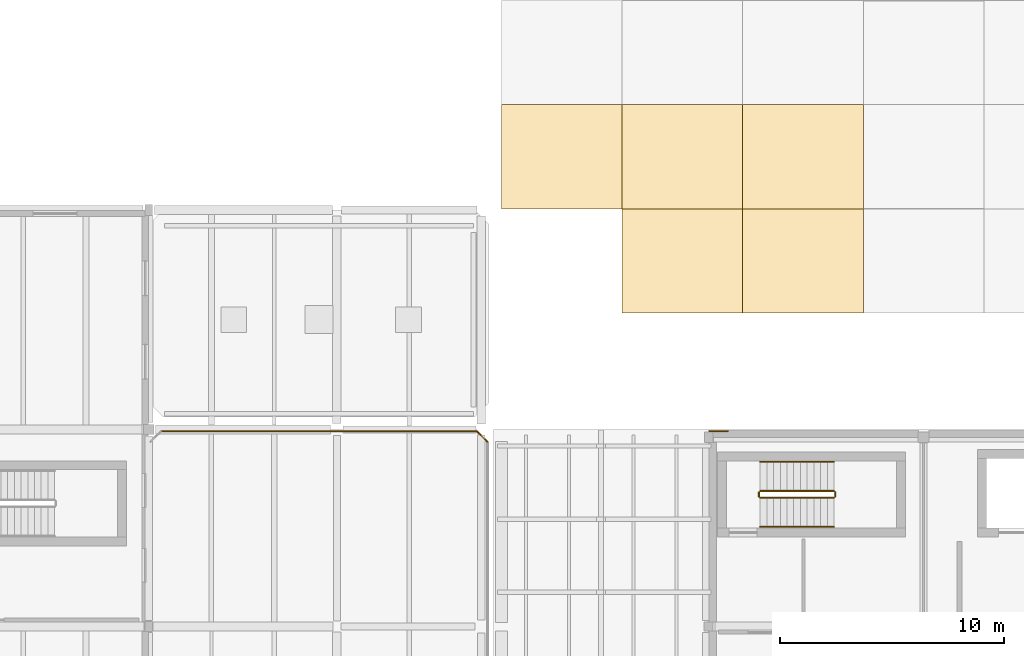
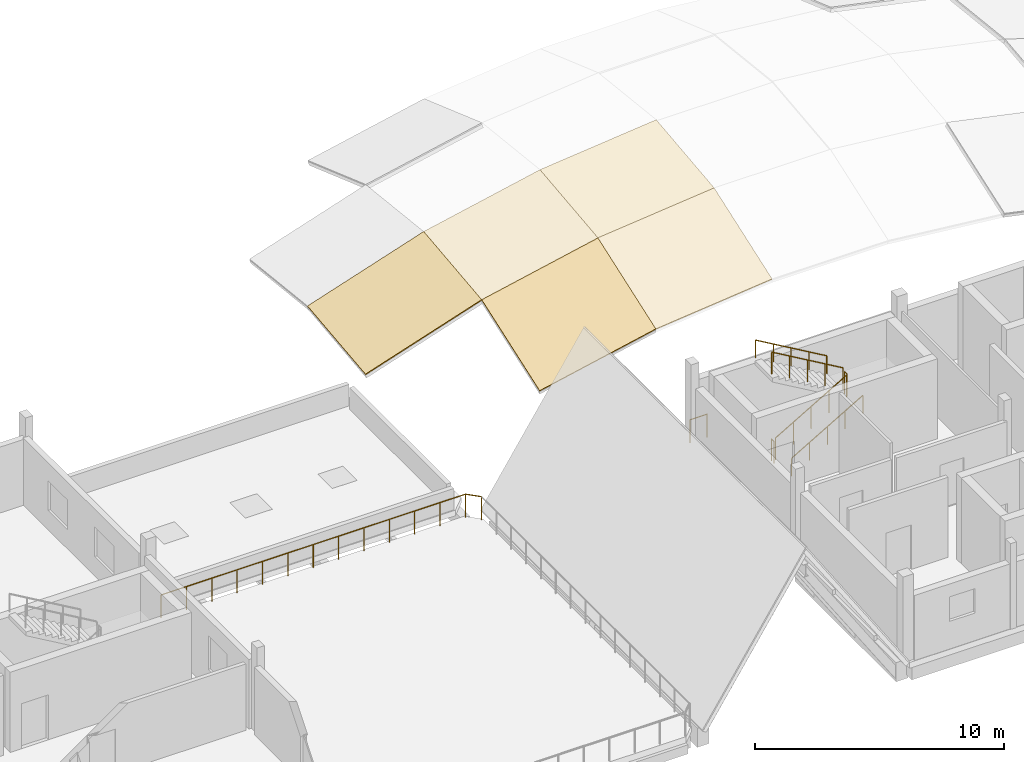
# One storey, part 28 of 35: 9 railings, 5 coverings.
"""IFC4 building model written with IfcOpenShell, lengths in metres."""

from ifc_helpers import new_model, si_unit, direction, frame, origin, origin_2d, place, context, subcontext, project, spatial, polyline, circle, outline, extrude, material, layer, layer_set, type_object, element, save


model = new_model("IFC4")

# Units and contexts
model_context = context("Model", 3, precision=1e-05, world=origin(), true_north=direction((0.0, 1.0)))
body_context = subcontext(model_context, "Body", "Model", "MODEL_VIEW")
ifc_project = project(units=[si_unit("LENGTHUNIT", "METRE"), si_unit("AREAUNIT", "SQUARE_METRE"), si_unit("VOLUMEUNIT", "CUBIC_METRE"), si_unit("PLANEANGLEUNIT", "RADIAN"), si_unit("MASSUNIT", "GRAM", prefix="KILO")], contexts=[model_context])

# Site, building, storey
site_placement = place(None, origin())
site = spatial("IfcSite", under=ifc_project, at=site_placement, CompositionType="ELEMENT")
building_placement = place(site_placement, origin())
building = spatial("IfcBuilding", under=site, at=building_placement, Name="Birchvale Park Specialist Clinic", CompositionType="ELEMENT")
storey_placement = place(building_placement, frame((0.0, 0.0, 13.800048828125)))
storey = spatial("IfcBuildingStorey", under=building, at=storey_placement, Name="L03", CompositionType="ELEMENT", Elevation=13.800048828125)

# Coverings
ifc_material_1 = material(Name="Standing-seam titanium-zinc roofing")
ifc_layer = layer(ifc_material_1, 0.054931640625)
ifc_layer_set = layer_set([ifc_layer], Name="Standing-seam titanium-zinc roofing")
covering_type = type_object("IfcCoveringType", Name="COV-RF2", PredefinedType="ROOFING", material=ifc_layer_set)
covering_1_placement = place(storey_placement, frame((52.14990234375, 44.449951171875, 0.599853515625), z_axis=(-0.309438736667, -0.105338222316, 0.945066943221), x_axis=(0.950354284012, 0.0, 0.311169945304)))
element("IfcCovering", 1, at=covering_1_placement, inside=storey, type_object=covering_type, Name="V1 gridshell standing-seam covering 3", PredefinedType="ROOFING", context=body_context, shape_type="SweptSolid", body=[
    extrude(outline(polyline([(0.0, 0.0), (5.66708887212652, -2.7755575615628914e-17), (5.828371536648327, 4.676162534736339), (0.16128266452180726, 4.676162534736339), (0.0, 0.0)])), origin(), (0.0, 0.0, -1.0), 0.054931640625),
])
covering_2_placement = place(storey_placement, frame((57.53564453125, 39.800048828125, 0.7236328125), z_axis=(-0.196105592745, -0.326093526643, 0.924773274038), x_axis=(0.978246670793, 0.0, 0.207445055574)))
element("IfcCovering", 2, at=covering_2_placement, inside=storey, type_object=covering_type, Name="V1 gridshell standing-seam covering 8", PredefinedType="ROOFING", context=body_context, shape_type="SweptSolid", body=[
    extrude(outline(polyline([(0.0, 0.0), (5.5055052557793625, -5.551115123125783e-17), (5.845642217018939, 4.918774812146482), (0.340136961239576, 4.918774812146482), (0.0, 0.0)])), origin(), (0.0, 0.0, -1.0), 0.054931640625),
])
covering_3_placement = place(storey_placement, frame((57.53564453125, 44.449951171875, 2.36328125), z_axis=(-0.206202257249, -0.108369294024, 0.9724899615), x_axis=(0.978251117245, 2.336707e-06, 0.207424086361)))
element("IfcCovering", 3, at=covering_3_placement, inside=storey, type_object=covering_type, Name="V1 gridshell standing-seam covering 9", PredefinedType="ROOFING", context=body_context, shape_type="SweptSolid", body=[
    extrude(outline(polyline([(0.0, 0.0), (5.505505254499501, 0.0), (5.612975571519941, 4.677681609974852), (0.10752095766652477, 4.677707491786649), (0.0, 0.0)])), origin(), (0.0, 0.0, -1.0), 0.054931640625),
])
covering_4_placement = place(storey_placement, frame((62.92138671875, 39.800048828125, 1.86572265625), z_axis=(-0.097855218234, -0.330954712464, 0.938559180106), x_axis=(0.994608725176, 0.0, 0.103699005798)))
element("IfcCovering", 4, at=covering_4_placement, inside=storey, type_object=covering_type, Name="V1 gridshell standing-seam covering 14", PredefinedType="ROOFING", context=body_context, shape_type="SweptSolid", body=[
    extrude(outline(polyline([(0.0, 0.0), (5.4149355934377565, 0.0), (5.584965506264842, 4.927588521148245), (0.17002991282708546, 4.927588521148245), (0.0, 0.0)])), origin(), (0.0, 0.0, -1.0), 0.054931640625),
])
covering_5_placement = place(storey_placement, frame((62.92138671875, 44.449951171875, 3.50537109375), z_axis=(-0.103090052962, -0.110159295638, 0.988553170328), x_axis=(0.994606428039, -2.454923e-06, 0.103721035942)))
element("IfcCovering", 5, at=covering_5_placement, inside=storey, type_object=covering_type, Name="V1 gridshell standing-seam covering 15", PredefinedType="ROOFING", context=body_context, shape_type="SweptSolid", body=[
    extrude(outline(polyline([(0.0, 0.0), (5.414935592093145, 6.938893903907228e-18), (5.468683883201298, 4.678634336618755), (0.05372296858961346, 4.678607587254343), (0.0, 0.0)])), origin(), (0.0, 0.0, -1.0), 0.054931640625),
])

# Railings
ifc_material_2 = material(Name="Brushed stainless steel and laminated glass balustrade", Category="steel")
railing_type_1 = type_object("IfcRailingType", Name="RL-BAL2", PredefinedType="BALUSTRADE", material=ifc_material_2)
railing_1_placement = place(storey_placement, frame((51.52001953125, 34.050048828125, 0.0)))
element("IfcRailing", 6, at=railing_1_placement, inside=storey, type_object=railing_type_1, Name="V2 L03 roof terrace guard balustrade 27", PredefinedType="BALUSTRADE", context=body_context, shape_type="SweptSolid", body=[
    extrude(circle(Radius=0.02392578125, at=origin_2d()), frame((0.0, 0.0, 1.1259765625), z_axis=(-0.707106781187, 0.707106781187, 0.0), x_axis=(-0.707106781187, -0.707106781187, 0.0)), (0.0, 0.0, 1.0), 0.66455078125),
    extrude(circle(Radius=0.02099609375, at=origin_2d()), origin(), (0.0, 0.0, 1.0), 1.101806640625),
    extrude(circle(Radius=0.02099609375, at=origin_2d()), frame((-0.469970703125, 0.469970703125, 0.0)), (0.0, 0.0, 1.0), 1.101806640625),
])
railing_2_placement = place(storey_placement, frame((51.050048828125, 34.52001953125, 0.0)))
element("IfcRailing", 7, at=railing_2_placement, inside=storey, type_object=railing_type_1, Name="V2 L03 roof terrace guard balustrade 28", PredefinedType="BALUSTRADE", context=body_context, shape_type="SweptSolid", body=[
    extrude(circle(Radius=0.02392578125, at=origin_2d()), frame((0.0, 0.0, 1.1259765625), z_axis=(-1.0, 0.0, 0.0), x_axis=(0.0, -1.0, 0.0)), (0.0, 0.0, 1.0), 14.10009765625),
    extrude(circle(Radius=0.02099609375, at=origin_2d()), origin(), (0.0, 0.0, 1.0), 1.101806640625),
    extrude(circle(Radius=0.02099609375, at=origin_2d()), frame((-1.175048828125, 0.0, 0.0)), (0.0, 0.0, 1.0), 1.101806640625),
    extrude(circle(Radius=0.02099609375, at=origin_2d()), frame((-2.35009765625, 0.0, 0.0)), (0.0, 0.0, 1.0), 1.101806640625),
    extrude(circle(Radius=0.02099609375, at=origin_2d()), frame((-3.52490234375, 0.0, 0.0)), (0.0, 0.0, 1.0), 1.101806640625),
    extrude(circle(Radius=0.02099609375, at=origin_2d()), frame((-4.699951171875, 0.0, 0.0)), (0.0, 0.0, 1.0), 1.101806640625),
    extrude(circle(Radius=0.02099609375, at=origin_2d()), frame((-5.875, 0.0, 0.0)), (0.0, 0.0, 1.0), 1.101806640625),
    extrude(circle(Radius=0.02099609375, at=origin_2d()), frame((-7.050048828125, 0.0, 0.0)), (0.0, 0.0, 1.0), 1.101806640625),
    extrude(circle(Radius=0.02099609375, at=origin_2d()), frame((-8.22509765625, 0.0, 0.0)), (0.0, 0.0, 1.0), 1.101806640625),
    extrude(circle(Radius=0.02099609375, at=origin_2d()), frame((-9.400146484375, 0.0, 0.0)), (0.0, 0.0, 1.0), 1.101806640625),
    extrude(circle(Radius=0.02099609375, at=origin_2d()), frame((-10.5751953125, 0.0, 0.0)), (0.0, 0.0, 1.0), 1.101806640625),
    extrude(circle(Radius=0.02099609375, at=origin_2d()), frame((-11.75, 0.0, 0.0)), (0.0, 0.0, 1.0), 1.101806640625),
    extrude(circle(Radius=0.02099609375, at=origin_2d()), frame((-12.925048828125, 0.0, 0.0)), (0.0, 0.0, 1.0), 1.101806640625),
    extrude(circle(Radius=0.02099609375, at=origin_2d()), frame((-14.10009765625, 0.0, 0.0)), (0.0, 0.0, 1.0), 1.101806640625),
])
railing_3_placement = place(storey_placement, frame((61.449951171875, 34.52001953125, 0.0)))
element("IfcRailing", 8, at=railing_3_placement, inside=storey, type_object=railing_type_1, Name="V4 L03 corner edge guard NW", PredefinedType="BALUSTRADE", context=body_context, shape_type="SweptSolid", body=[
    extrude(circle(Radius=0.02392578125, at=origin_2d()), frame((0.0, 0.0, 1.1259765625), z_axis=(1.0, 0.0, 0.0), x_axis=(0.0, 1.0, 0.0)), (0.0, 0.0, 1.0), 0.800048828125),
    extrude(circle(Radius=0.02099609375, at=origin_2d()), origin(), (0.0, 0.0, 1.0), 1.101806640625),
    extrude(circle(Radius=0.02099609375, at=origin_2d()), frame((0.800048828125, 0.0, 0.0)), (0.0, 0.0, 1.0), 1.101806640625),
])
ifc_material_3 = material(Name="Brushed stainless steel guard railing", Category="steel")
railing_type_2 = type_object("IfcRailingType", Name="RL-GRD1", PredefinedType="GUARDRAIL", material=ifc_material_3)
railing_4_placement = place(storey_placement, frame((63.699951171875, 31.550048828125, 0.175048828125)))
element("IfcRailing", 9, at=railing_4_placement, inside=storey, type_object=railing_type_2, Name="L03 ST4 stair guard 1", PredefinedType="GUARDRAIL", context=body_context, shape_type="SweptSolid", body=[
    extrude(circle(Radius=0.02392578125, at=origin_2d()), frame((0.0, 0.0, 1.076171875), z_axis=(0.863804395585, 0.0, 0.503827317807), x_axis=(0.0, 1.0, 0.0)), (0.0, 0.0, 1.0), 3.8203125),
    extrude(circle(Radius=0.02099609375, at=origin_2d()), origin(), (0.0, 0.0, 1.0), 1.052001953125),
    extrude(circle(Radius=0.02099609375, at=origin_2d()), frame((0.824951171875, 0.0, 0.481201171875)), (0.0, 0.0, 1.0), 1.052001953125),
    extrude(circle(Radius=0.02099609375, at=origin_2d()), frame((1.64990234375, 0.0, 0.96240234375)), (0.0, 0.0, 1.0), 1.052001953125),
    extrude(circle(Radius=0.02099609375, at=origin_2d()), frame((2.47509765625, 0.0, 1.443603515625)), (0.0, 0.0, 1.0), 1.052001953125),
    extrude(circle(Radius=0.02099609375, at=origin_2d()), frame((3.300048828125, 0.0, 1.9248046875)), (0.0, 0.0, 1.0), 1.052001953125),
])
railing_5_placement = place(storey_placement, frame((67.050048828125, 31.60009765625, 2.099853515625)))
element("IfcRailing", 10, at=railing_5_placement, inside=storey, type_object=railing_type_2, Name="L03 ST4 stair guard 2", PredefinedType="GUARDRAIL", context=body_context, shape_type="SweptSolid", body=[
    extrude(circle(Radius=0.02392578125, at=origin_2d()), frame((0.0, 0.0, 1.076171875), z_axis=(0.0, 1.0, 0.0), x_axis=(-1.0, 0.0, 0.0)), (0.0, 0.0, 1.0), 0.199951171875),
    extrude(circle(Radius=0.02099609375, at=origin_2d()), origin(), (0.0, 0.0, 1.0), 1.052001953125),
    extrude(circle(Radius=0.02099609375, at=origin_2d()), frame((0.0, 0.199951171875, 0.0)), (0.0, 0.0, 1.0), 1.052001953125),
])
railing_6_placement = place(storey_placement, frame((67.0, 31.85009765625, 2.27490234375)))
element("IfcRailing", 11, at=railing_6_placement, inside=storey, type_object=railing_type_2, Name="L03 ST4 stair guard 3", PredefinedType="GUARDRAIL", context=body_context, shape_type="SweptSolid", body=[
    extrude(circle(Radius=0.02392578125, at=origin_2d()), frame((0.0, 0.0, 1.076171875), z_axis=(-0.863776583165, 0.0, 0.503874998761), x_axis=(0.0, -1.0, 0.0)), (0.0, 0.0, 1.0), 3.820556640625),
    extrude(circle(Radius=0.02099609375, at=origin_2d()), origin(), (0.0, 0.0, 1.0), 1.052001953125),
    extrude(circle(Radius=0.02099609375, at=origin_2d()), frame((-0.824951171875, 0.0, 0.481201171875)), (0.0, 0.0, 1.0), 1.052001953125),
    extrude(circle(Radius=0.02099609375, at=origin_2d()), frame((-1.64990234375, 0.0, 0.96240234375)), (0.0, 0.0, 1.0), 1.052001953125),
    extrude(circle(Radius=0.02099609375, at=origin_2d()), frame((-2.47509765625, 0.0, 1.44384765625)), (0.0, 0.0, 1.0), 1.052001953125),
    extrude(circle(Radius=0.02099609375, at=origin_2d()), frame((-3.300048828125, 0.0, 1.925048828125)), (0.0, 0.0, 1.0), 1.052001953125),
])
railing_7_placement = place(storey_placement, frame((63.64990234375, 31.60009765625, 0.0)))
element("IfcRailing", 12, at=railing_7_placement, inside=storey, type_object=railing_type_2, Name="L03 ST4 stair guard 4", PredefinedType="GUARDRAIL", context=body_context, shape_type="SweptSolid", body=[
    extrude(circle(Radius=0.02392578125, at=origin_2d()), frame((0.0, 0.0, 1.076171875), z_axis=(0.0, 1.0, 0.0), x_axis=(-1.0, 0.0, 0.0)), (0.0, 0.0, 1.0), 0.199951171875),
    extrude(circle(Radius=0.02099609375, at=origin_2d()), origin(), (0.0, 0.0, 1.0), 1.052001953125),
    extrude(circle(Radius=0.02099609375, at=origin_2d()), frame((0.0, 0.199951171875, 0.0)), (0.0, 0.0, 1.0), 1.052001953125),
])
ifc_material_4 = material(Name="Anodised aluminium handrail", Category="aluminium")
railing_type_3 = type_object("IfcRailingType", Name="RL-HND1", PredefinedType="HANDRAIL", material=ifc_material_4)
railing_8_placement = place(storey_placement, frame((63.699951171875, 30.25, 0.175048828125)))
element("IfcRailing", 13, at=railing_8_placement, inside=storey, type_object=railing_type_3, Name="L03 ST4 stair handrail 1", PredefinedType="HANDRAIL", context=body_context, shape_type="SweptSolid", body=[
    extrude(circle(Radius=0.02392578125, at=origin_2d()), frame((0.0, 0.0, 0.8759765625), z_axis=(0.863804395585, 0.0, 0.503827317807), x_axis=(0.0, 1.0, 0.0)), (0.0, 0.0, 1.0), 3.8203125),
    extrude(circle(Radius=0.02099609375, at=origin_2d()), origin(), (0.0, 0.0, 1.0), 0.851806640625),
    extrude(circle(Radius=0.02099609375, at=origin_2d()), frame((0.824951171875, 0.0, 0.481201171875)), (0.0, 0.0, 1.0), 0.851806640625),
    extrude(circle(Radius=0.02099609375, at=origin_2d()), frame((1.64990234375, 0.0, 0.96240234375)), (0.0, 0.0, 1.0), 0.851806640625),
    extrude(circle(Radius=0.02099609375, at=origin_2d()), frame((2.47509765625, 0.0, 1.443603515625)), (0.0, 0.0, 1.0), 0.851806640625),
    extrude(circle(Radius=0.02099609375, at=origin_2d()), frame((3.300048828125, 0.0, 1.9248046875)), (0.0, 0.0, 1.0), 0.851806640625),
])
railing_9_placement = place(storey_placement, frame((67.0, 33.14990234375, 2.27490234375)))
element("IfcRailing", 14, at=railing_9_placement, inside=storey, type_object=railing_type_3, Name="L03 ST4 stair handrail 2", PredefinedType="HANDRAIL", context=body_context, shape_type="SweptSolid", body=[
    extrude(circle(Radius=0.02392578125, at=origin_2d()), frame((0.0, 0.0, 0.8759765625), z_axis=(-0.863776583165, 0.0, 0.503874998761), x_axis=(0.0, -1.0, 0.0)), (0.0, 0.0, 1.0), 3.820556640625),
    extrude(circle(Radius=0.02099609375, at=origin_2d()), origin(), (0.0, 0.0, 1.0), 0.851806640625),
    extrude(circle(Radius=0.02099609375, at=origin_2d()), frame((-0.824951171875, 0.0, 0.481201171875)), (0.0, 0.0, 1.0), 0.851806640625),
    extrude(circle(Radius=0.02099609375, at=origin_2d()), frame((-1.64990234375, 0.0, 0.96240234375)), (0.0, 0.0, 1.0), 0.851806640625),
    extrude(circle(Radius=0.02099609375, at=origin_2d()), frame((-2.47509765625, 0.0, 1.44384765625)), (0.0, 0.0, 1.0), 0.851806640625),
    extrude(circle(Radius=0.02099609375, at=origin_2d()), frame((-3.300048828125, 0.0, 1.925048828125)), (0.0, 0.0, 1.0), 0.851806640625),
])

save(model, "model.ifc")
